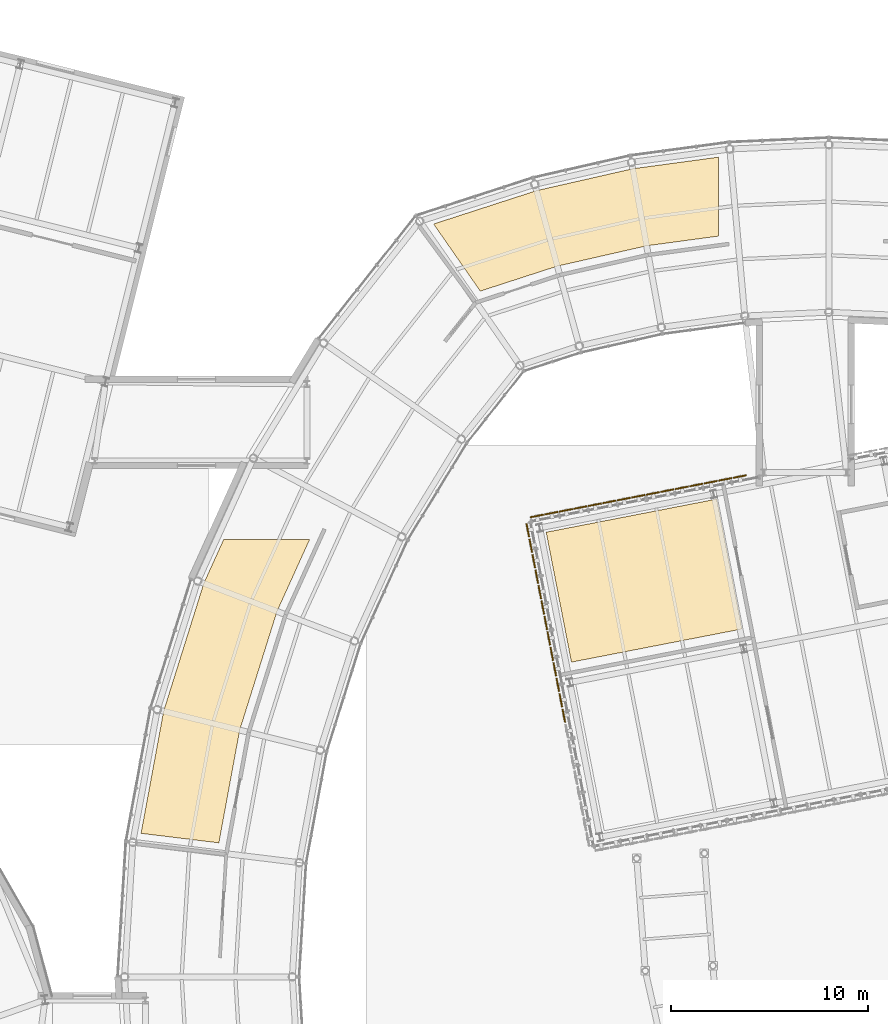
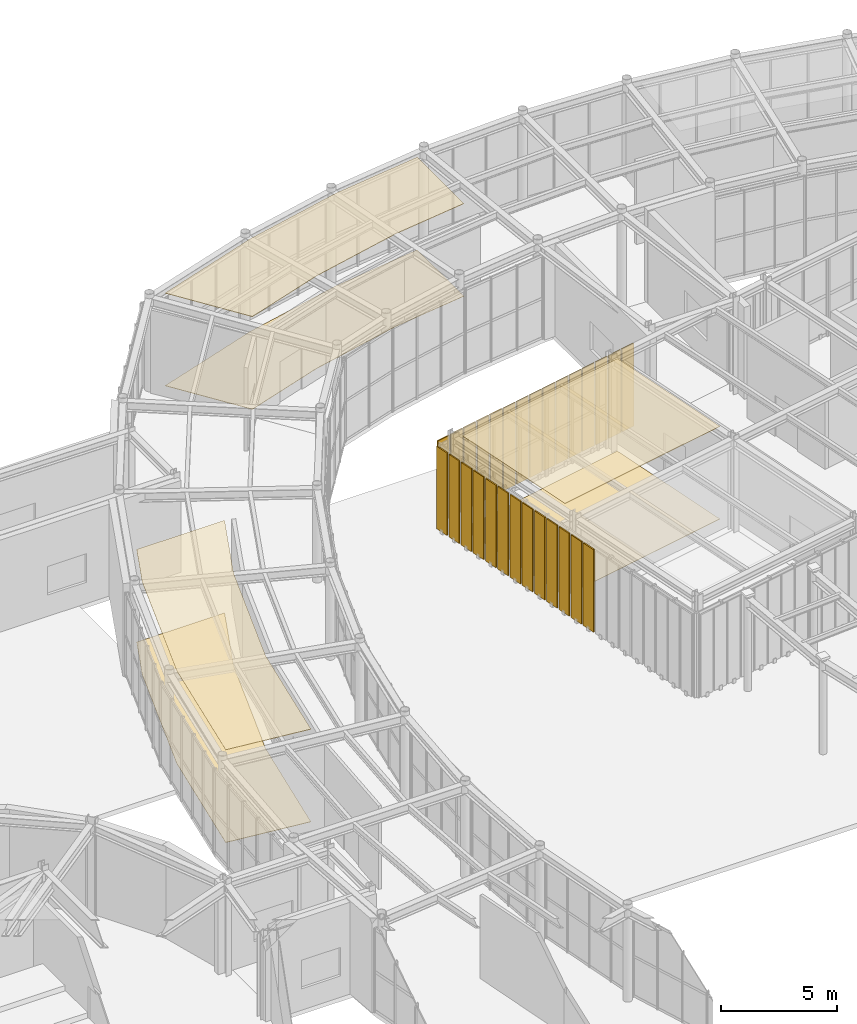
# One storey, part 92 of 97: 28 shading devices, 6 coverings.
"""IFC4 building model written with IfcOpenShell, lengths in metres."""

from ifc_helpers import new_model, si_unit, direction, frame, origin, origin_2d, place, context, subcontext, project, spatial, polyline, rectangle, outline, extrude, material, layer, layer_set, type_object, element, save


model = new_model("IFC4")

# Units and contexts
model_context = context("Model", 3, precision=1e-05, world=origin(), true_north=direction((0.0, 1.0)))
body_context = subcontext(model_context, "Body", "Model", "MODEL_VIEW")
ifc_project = project(units=[si_unit("LENGTHUNIT", "METRE"), si_unit("AREAUNIT", "SQUARE_METRE"), si_unit("VOLUMEUNIT", "CUBIC_METRE"), si_unit("PLANEANGLEUNIT", "RADIAN"), si_unit("MASSUNIT", "GRAM", prefix="KILO")], contexts=[model_context])

# Site, building, storey
site_placement = place(None, origin())
site = spatial("IfcSite", under=ifc_project, at=site_placement, CompositionType="ELEMENT")
building_placement = place(site_placement, origin())
building = spatial("IfcBuilding", under=site, at=building_placement, Name="Varnklinge Art Gallery", CompositionType="ELEMENT")
storey_placement = place(building_placement, origin())
storey = spatial("IfcBuildingStorey", under=building, at=storey_placement, Name="L00", CompositionType="ELEMENT", Elevation=0.0)

# Coverings
ifc_material_1 = material(Name="Acoustic Mineral Tile", Category="mineral")
ifc_layer_1 = layer(ifc_material_1, 0.02490234375)
ifc_layer_set_1 = layer_set([ifc_layer_1], Name="Acoustic Mineral Tile")
covering_type_1 = type_object("IfcCoveringType", Name="CLG-AC", PredefinedType="CEILING", material=ifc_layer_set_1)
covering_1_placement = place(storey_placement, frame((0.0, 0.0, 4.85498046875)))
element("IfcCovering", 1, at=covering_1_placement, inside=storey, type_object=covering_type_1, Name="L00 Acoustic Mineral Ceiling 007", PredefinedType="CEILING", context=body_context, shape_type="SweptSolid", body=[
    extrude(outline(polyline([(69.89990234375, 96.618896484375), (65.538818359375, 96.029541015625), (60.657958984375, 94.91845703125), (55.431640625, 93.224853515625), (57.7998046875, 89.81689453125), (61.69189453125, 91.078125), (61.735107421875, 91.090087890625), (66.22509765625, 92.1123046875), (66.26904296875, 92.1201171875), (69.89990234375, 92.61083984375), (69.89990234375, 96.618896484375)])), origin(), (0.0, 0.0, 1.0), 0.02490234375),
])
covering_2_placement = place(storey_placement, frame((0.0, 0.0, 4.85498046875)))
element("IfcCovering", 2, at=covering_2_placement, inside=storey, type_object=covering_type_1, Name="L00 Acoustic Mineral Ceiling 008", PredefinedType="CEILING", context=body_context, shape_type="SweptSolid", body=[
    extrude(outline(polyline([(40.577880859375, 62.285888671875), (44.527587890625, 61.802490234375), (45.579345703125, 67.496337890625), (45.593994140625, 67.555419921875), (47.470703125, 73.5283203125), (47.4921875, 73.5849609375), (49.133544921875, 77.199951171875), (44.771484375, 77.199951171875), (43.762939453125, 74.978759765625), (41.72314453125, 68.48583984375), (40.577880859375, 62.285888671875)])), origin(), (0.0, 0.0, 1.0), 0.02490234375),
])
covering_3_placement = place(storey_placement, frame((0.0, 0.0, 4.85498046875)))
element("IfcCovering", 3, at=covering_3_placement, inside=storey, type_object=covering_type_1, Name="L00 Acoustic Mineral Ceiling 011", PredefinedType="CEILING", context=body_context, shape_type="SweptSolid", body=[
    extrude(outline(polyline([(69.805908203125, 79.2578125), (61.14794921875, 77.57470703125), (62.43017578125, 70.978271484375), (71.088134765625, 72.6611328125), (69.805908203125, 79.2578125)])), origin(), (0.0, 0.0, 1.0), 0.02490234375),
])
ifc_material_2 = material(Name="Polished Terrazzo Flooring", Category="stone")
ifc_layer_2 = layer(ifc_material_2, 0.02001953125)
ifc_layer_set_2 = layer_set([ifc_layer_2], Name="Polished Terrazzo Flooring")
covering_type_2 = type_object("IfcCoveringType", Name="FLR-STN", PredefinedType="FLOORING", material=ifc_layer_set_2)
covering_4_placement = place(storey_placement, origin())
element("IfcCovering", 4, at=covering_4_placement, inside=storey, type_object=covering_type_2, Name="L00 Gallery Terrazzo Flooring 007", PredefinedType="FLOORING", context=body_context, shape_type="SweptSolid", body=[
    extrude(outline(polyline([(69.89990234375, 96.618896484375), (65.538818359375, 96.029541015625), (60.657958984375, 94.91845703125), (55.431640625, 93.224853515625), (57.7998046875, 89.81689453125), (61.69189453125, 91.078125), (61.735107421875, 91.090087890625), (66.22509765625, 92.1123046875), (66.26904296875, 92.1201171875), (69.89990234375, 92.61083984375), (69.89990234375, 96.618896484375)])), origin(), (0.0, 0.0, 1.0), 0.02001953125),
])
covering_5_placement = place(storey_placement, origin())
element("IfcCovering", 5, at=covering_5_placement, inside=storey, type_object=covering_type_2, Name="L00 Gallery Terrazzo Flooring 008", PredefinedType="FLOORING", context=body_context, shape_type="SweptSolid", body=[
    extrude(outline(polyline([(40.577880859375, 62.285888671875), (44.527587890625, 61.802490234375), (45.579345703125, 67.496337890625), (45.593994140625, 67.555419921875), (47.470703125, 73.5283203125), (47.4921875, 73.5849609375), (49.133544921875, 77.199951171875), (44.771484375, 77.199951171875), (43.762939453125, 74.978759765625), (41.72314453125, 68.48583984375), (40.577880859375, 62.285888671875)])), origin(), (0.0, 0.0, 1.0), 0.02001953125),
])
covering_6_placement = place(storey_placement, origin())
element("IfcCovering", 6, at=covering_6_placement, inside=storey, type_object=covering_type_2, Name="L00 Gallery Terrazzo Flooring 011", PredefinedType="FLOORING", context=body_context, shape_type="SweptSolid", body=[
    extrude(outline(polyline([(69.805908203125, 79.2578125), (61.14794921875, 77.57470703125), (62.43017578125, 70.978271484375), (71.088134765625, 72.6611328125), (69.805908203125, 79.2578125)])), origin(), (0.0, 0.0, 1.0), 0.02001953125),
])

# Shading devices
ifc_material_3 = material(Name="Perforated Aluminium-Precast Lattice", Category="concrete")
ifc_layer_3 = layer(ifc_material_3, 0.06005859375)
ifc_layer_set_3 = layer_set([ifc_layer_3], Name="Perforated Aluminium-Precast Lattice")
shading_device_type = type_object("IfcShadingDeviceType", Name="SHD-LAT", PredefinedType="USERDEFINED", material=ifc_layer_set_3)
for number, where, z_axis, x_axis, name in (
    (7, (70.974609375, 80.401611328125, 0.099853515625), (0.0, 0.0, 1.0), (-0.981627183448, -0.190808995377, 0.0), "L00 Perforated Lattice Screen 3.1.2"),
    (8, (70.239013671875, 80.2587890625, 0.099853515625), (0.0, 0.0, 1.0), (-0.981627183448, -0.190808995377, 0.0), "L00 Perforated Lattice Screen 3.1.3"),
    (9, (69.50341796875, 80.11572265625, 0.099853515625), (0.0, 0.0, 1.0), (-0.981627183448, -0.190808995377, 0.0), "L00 Perforated Lattice Screen 3.1.4"),
    (10, (68.767822265625, 79.97265625, 0.099853515625), (0.0, 0.0, 1.0), (-0.981627183448, -0.190808995377, 0.0), "L00 Perforated Lattice Screen 3.1.5"),
    (11, (68.0322265625, 79.829833984375, 0.099853515625), (0.0, 0.0, 1.0), (-0.981627183448, -0.190808995377, 0.0), "L00 Perforated Lattice Screen 3.1.6"),
    (12, (67.296630859375, 79.686767578125, 0.099853515625), (0.0, 0.0, 1.0), (-0.981627183448, -0.190808995377, 0.0), "L00 Perforated Lattice Screen 3.1.7"),
    (13, (66.561279296875, 79.543701171875, 0.099853515625), (0.0, 0.0, 1.0), (-0.981627183448, -0.190808995377, 0.0), "L00 Perforated Lattice Screen 3.1.8"),
    (14, (65.82568359375, 79.40087890625, 0.099853515625), (0.0, 0.0, 1.0), (-0.981627183448, -0.190808995377, 0.0), "L00 Perforated Lattice Screen 3.2.1"),
    (15, (65.090087890625, 79.2578125, 0.099853515625), (0.0, 0.0, 1.0), (-0.981627183448, -0.190808995377, 0.0), "L00 Perforated Lattice Screen 3.2.2"),
    (16, (64.3544921875, 79.114990234375, 0.099853515625), (0.0, 0.0, 1.0), (-0.981627183448, -0.190808995377, 0.0), "L00 Perforated Lattice Screen 3.2.3"),
    (17, (63.618896484375, 78.971923828125, 0.099853515625), (0.0, 0.0, 1.0), (-0.981627183448, -0.190808995377, 0.0), "L00 Perforated Lattice Screen 3.2.4"),
    (18, (62.88330078125, 78.828857421875, 0.099853515625), (0.0, 0.0, 1.0), (-0.981627183448, -0.190808995377, 0.0), "L00 Perforated Lattice Screen 3.2.5"),
    (19, (62.147705078125, 78.685791015625, 0.099853515625), (0.0, 0.0, 1.0), (-0.981627183448, -0.190808995377, 0.0), "L00 Perforated Lattice Screen 3.2.6"),
    (20, (61.412109375, 78.54296875, 0.099853515625), (0.0, 0.0, 1.0), (-0.981627183448, -0.190808995377, 0.0), "L00 Perforated Lattice Screen 3.2.7"),
    (21, (60.676513671875, 78.39990234375, 0.099853515625), (0.0, 0.0, 1.0), (-0.981627183448, -0.190808995377, 0.0), "L00 Perforated Lattice Screen 3.2.8"),
    (22, (60.211181640625, 77.677978515625, 0.099853515625), (0.0, 0.0, 1.0), (0.190808995377, -0.981627183448, 0.0), "L00 Perforated Lattice Screen 4.1.1"),
    (23, (60.36376953125, 76.892578125, 0.099853515625), (0.0, 0.0, 1.0), (0.190808995377, -0.981627183448, 0.0), "L00 Perforated Lattice Screen 4.1.2"),
    (24, (60.516357421875, 76.107421875, 0.099853515625), (0.0, 0.0, 1.0), (0.190808995377, -0.981627183448, 0.0), "L00 Perforated Lattice Screen 4.1.3"),
    (25, (60.6689453125, 75.322021484375, 0.099853515625), (0.0, 0.0, 1.0), (0.190808995377, -0.981627183448, 0.0), "L00 Perforated Lattice Screen 4.1.4"),
    (26, (60.82177734375, 74.53662109375, 0.099853515625), (0.0, 0.0, 1.0), (0.190808995377, -0.981627183448, 0.0), "L00 Perforated Lattice Screen 4.1.5"),
    (27, (60.974365234375, 73.75146484375, 0.099853515625), (0.0, 0.0, 1.0), (0.190808995377, -0.981627183448, 0.0), "L00 Perforated Lattice Screen 4.1.6"),
    (28, (61.126953125, 72.966064453125, 0.099853515625), (0.0, 0.0, 1.0), (0.190808995377, -0.981627183448, 0.0), "L00 Perforated Lattice Screen 4.1.7"),
    (29, (61.279541015625, 72.180908203125, 0.099853515625), (0.0, 0.0, 1.0), (0.190808995377, -0.981627183448, 0.0), "L00 Perforated Lattice Screen 4.2.1"),
    (30, (61.43212890625, 71.3955078125, 0.099853515625), (0.0, 0.0, 1.0), (0.190808995377, -0.981627183448, 0.0), "L00 Perforated Lattice Screen 4.2.2"),
    (31, (61.5849609375, 70.610107421875, 0.099853515625), (0.0, 0.0, 1.0), (0.190808995377, -0.981627183448, 0.0), "L00 Perforated Lattice Screen 4.2.3"),
    (32, (61.737548828125, 69.824951171875, 0.099853515625), (0.0, 0.0, 1.0), (0.190808995377, -0.981627183448, 0.0), "L00 Perforated Lattice Screen 4.2.4"),
    (33, (61.89013671875, 69.03955078125, 0.099853515625), (0.0, 0.0, 1.0), (0.190808995377, -0.981627183448, 0.0), "L00 Perforated Lattice Screen 4.2.5"),
    (34, (62.042724609375, 68.25439453125, 0.099853515625), (0.0, 0.0, 1.0), (0.190808995377, -0.981627183448, 0.0), "L00 Perforated Lattice Screen 4.2.6"),
):
    element("IfcShadingDevice", number, at=place(storey_placement, frame(where, z_axis=z_axis, x_axis=x_axis)), inside=storey, type_object=shading_device_type, Name=name, ObjectType="LATTICE SCREEN", PredefinedType="USERDEFINED", context=body_context, shape_type="SweptSolid", body=[
        extrude(rectangle(XDim=0.679931640625, YDim=0.06005859375, at=origin_2d()), origin(), (0.0, 0.0, 1.0), 4.330078125),
    ])

save(model, "model.ifc")
